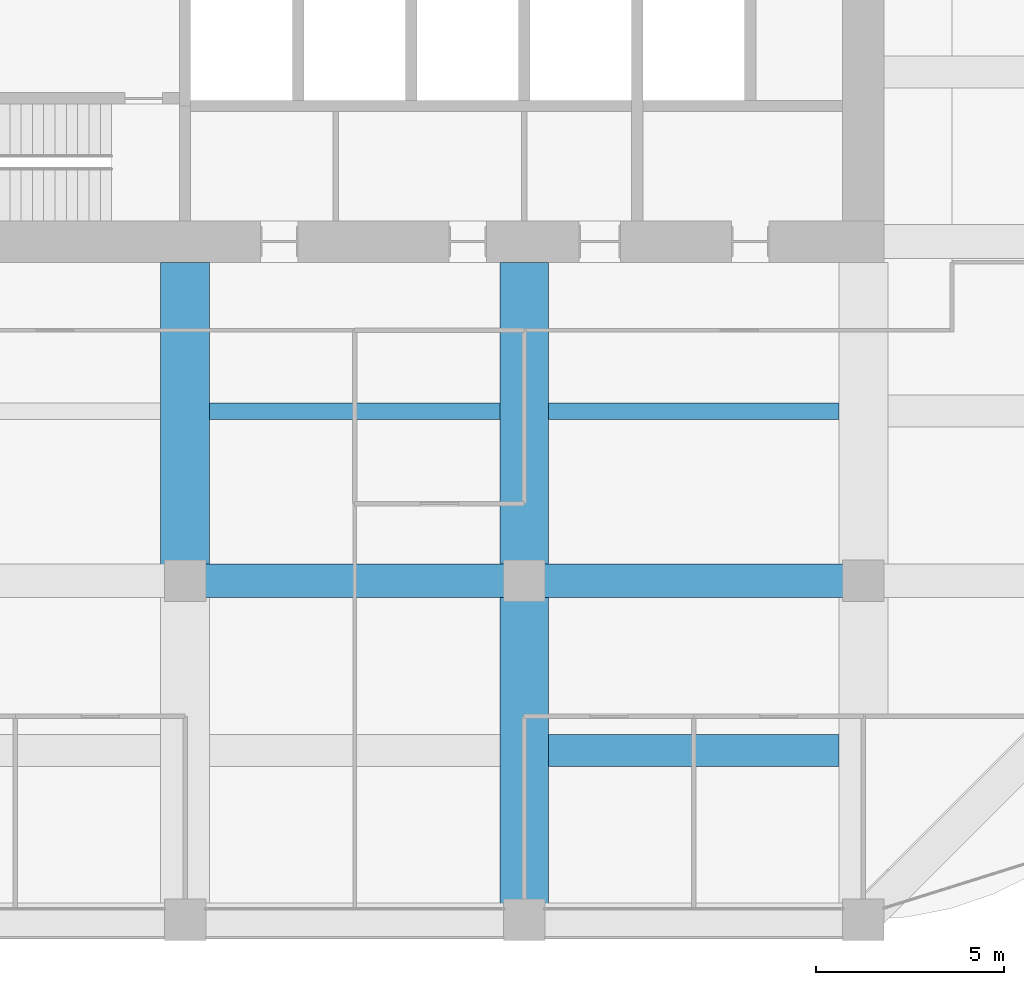
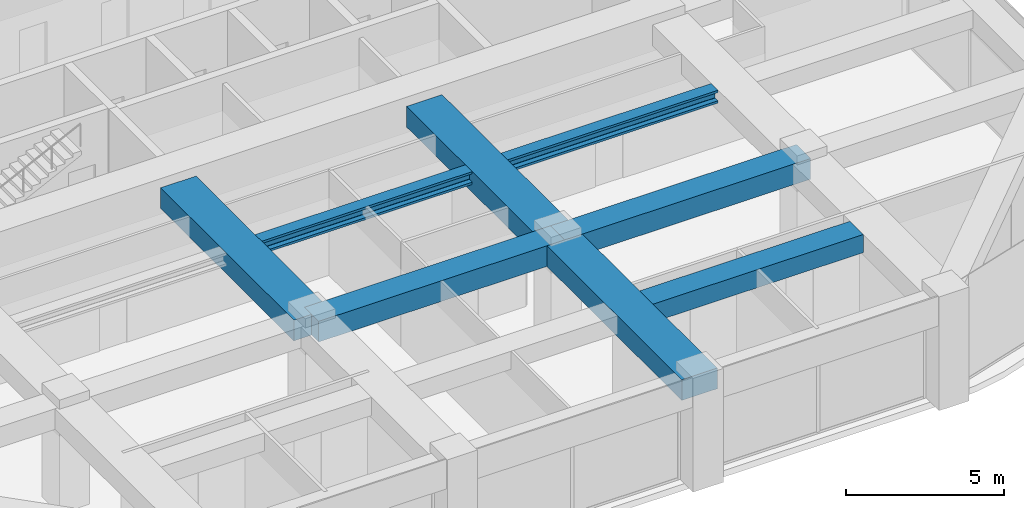
# One storey, part 12 of 44: 8 beams.
"""IFC4 building model written with IfcOpenShell, lengths in metres."""

from ifc_helpers import new_model, si_unit, direction, frame, origin, origin_2d, place, context, subcontext, project, spatial, rectangle, i_section, extrude, material, material_profile, profile_set, type_object, element, save


model = new_model("IFC4")

# Units and contexts
model_context = context("Model", 3, precision=1e-05, world=origin(), true_north=direction((0.0, 1.0)))
body_context = subcontext(model_context, "Body", "Model", "MODEL_VIEW")
ifc_project = project(units=[si_unit("LENGTHUNIT", "METRE"), si_unit("AREAUNIT", "SQUARE_METRE"), si_unit("VOLUMEUNIT", "CUBIC_METRE"), si_unit("PLANEANGLEUNIT", "RADIAN"), si_unit("MASSUNIT", "GRAM", prefix="KILO")], contexts=[model_context])

# Site, building, storey
site_placement = place(None, origin())
site = spatial("IfcSite", under=ifc_project, at=site_placement, CompositionType="ELEMENT")
building_placement = place(site_placement, origin())
building = spatial("IfcBuilding", under=site, at=building_placement, Name="Zorevar Civic Tower", CompositionType="ELEMENT")
storey_placement = place(building_placement, frame((0.0, 0.0, 307.39990234375)))
storey = spatial("IfcBuildingStorey", under=building, at=storey_placement, Name="L75", CompositionType="ELEMENT", Elevation=307.39990234375)

# Beams
ifc_material_1 = material(Name="Concrete C50/60", Category="concrete")
ifc_material_profile_1 = material_profile(ifc_material_1, rectangle(XDim=1.300048828125, YDim=0.800048828125, at=origin_2d()), Name="RC 1300x800")
ifc_profile_set_1 = profile_set([ifc_material_profile_1], Name="Concrete C50/60")
beam_type_1 = type_object("IfcBeamType", Name="Beam RC 1300x800", PredefinedType="BEAM", material=ifc_profile_set_1)
beam_1_placement = place(storey_placement, frame((27.0, 9.0, 3.650146484375), z_axis=(0.0, 1.0, 0.0), x_axis=(-1.0, 0.0, 0.0)))
element("IfcBeam", 1, at=beam_1_placement, inside=storey, type_object=beam_type_1, Name="Girder RF", PredefinedType="BEAM", context=body_context, shape_type="SweptSolid", body=[
    extrude(rectangle(XDim=1.300048828125, YDim=0.800048828125, at=origin_2d()), origin(), (0.0, 0.0, 1.0), 8.449951171875),
])
beam_2_placement = place(storey_placement, frame((36.0, 0.0, 3.650146484375), z_axis=(0.0, 1.0, 0.0), x_axis=(-1.0, 0.0, 0.0)))
element("IfcBeam", 2, at=beam_2_placement, inside=storey, type_object=beam_type_1, Name="Girder RF", PredefinedType="BEAM", context=body_context, shape_type="SweptSolid", body=[
    extrude(rectangle(XDim=1.300048828125, YDim=0.800048828125, at=origin_2d()), origin(), (0.0, 0.0, 1.0), 9.0),
])
beam_3_placement = place(storey_placement, frame((36.0, 9.0, 3.650146484375), z_axis=(0.0, 1.0, 0.0), x_axis=(-1.0, 0.0, 0.0)))
element("IfcBeam", 3, at=beam_3_placement, inside=storey, type_object=beam_type_1, Name="Girder RF", PredefinedType="BEAM", context=body_context, shape_type="SweptSolid", body=[
    extrude(rectangle(XDim=1.300048828125, YDim=0.800048828125, at=origin_2d()), origin(), (0.0, 0.0, 1.0), 8.449951171875),
])
ifc_material_2 = material(Name="Concrete C50/60", Category="concrete")
ifc_material_profile_2 = material_profile(ifc_material_2, rectangle(XDim=0.85009765625, YDim=0.699951171875, at=origin_2d()), Name="RC 850x700")
ifc_profile_set_2 = profile_set([ifc_material_profile_2], Name="Concrete C50/60")
beam_type_2 = type_object("IfcBeamType", Name="Beam RC 850x700", PredefinedType="BEAM", material=ifc_profile_set_2)
beam_4_placement = place(storey_placement, frame((36.64990234375, 4.5, 3.7001953125), z_axis=(1.0, 0.0, 0.0), x_axis=(0.0, 1.0, 0.0)))
element("IfcBeam", 4, at=beam_4_placement, inside=storey, type_object=beam_type_2, Name="Secondary beam RF", PredefinedType="BEAM", context=body_context, shape_type="SweptSolid", body=[
    extrude(rectangle(XDim=0.85009765625, YDim=0.699951171875, at=origin_2d()), origin(), (0.0, 0.0, 1.0), 7.7001953125),
])
ifc_material_3 = material(Name="Concrete C50/60", Category="concrete")
ifc_material_profile_3 = material_profile(ifc_material_3, rectangle(XDim=0.89990234375, YDim=0.800048828125, at=origin_2d()), Name="RC 900x800")
ifc_profile_set_3 = profile_set([ifc_material_profile_3], Name="Concrete C50/60")
beam_type_3 = type_object("IfcBeamType", Name="Beam RC 900x800", PredefinedType="BEAM", material=ifc_profile_set_3)
for number, where, z_axis, x_axis, name in (
    (5, (27.0, 9.0, 3.650146484375), (1.0, 0.0, 0.0), (0.0, 1.0, 0.0), "Girder RF"),
    (6, (36.0, 9.0, 3.650146484375), (1.0, 0.0, 0.0), (0.0, 1.0, 0.0), "Girder RF"),
):
    element("IfcBeam", number, at=place(storey_placement, frame(where, z_axis=z_axis, x_axis=x_axis)), inside=storey, type_object=beam_type_3, Name=name, PredefinedType="BEAM", context=body_context, shape_type="SweptSolid", body=[
        extrude(rectangle(XDim=0.89990234375, YDim=0.800048828125, at=origin_2d()), origin(), (0.0, 0.0, 1.0), 9.0),
    ])
ifc_material_4 = material(Name="Steel S460M (HISTAR 460)", Category="steel")
ifc_material_profile_4 = material_profile(ifc_material_4, i_section(OverallWidth=0.431884765625, OverallDepth=0.498046875, WebThickness=0.0556640625, FlangeThickness=0.0888671875, FilletRadius=0.014892578125, at=origin_2d()), Name="HD 400x744")
ifc_profile_set_4 = profile_set([ifc_material_profile_4], Name="Steel S460M (HISTAR 460)")
beam_type_4 = type_object("IfcBeamType", Name="Core bay beam HD 400x744", PredefinedType="BEAM", material=ifc_profile_set_4)
for number, where, z_axis, x_axis, name in (
    (7, (27.64990234375, 13.5, 3.801025390625), (1.0, 0.0, 0.0), (0.0, 1.0, 0.0), "Secondary beam RF"),
    (8, (36.64990234375, 13.5, 3.801025390625), (1.0, 0.0, 0.0), (0.0, 1.0, 0.0), "Secondary beam RF"),
):
    element("IfcBeam", number, at=place(storey_placement, frame(where, z_axis=z_axis, x_axis=x_axis)), inside=storey, type_object=beam_type_4, Name=name, PredefinedType="BEAM", context=body_context, shape_type="SweptSolid", body=[
        extrude(i_section(OverallWidth=0.431884765625, OverallDepth=0.498046875, WebThickness=0.0556640625, FlangeThickness=0.0888671875, FilletRadius=0.014892578125, at=origin_2d()), origin(), (0.0, 0.0, 1.0), 7.7001953125),
    ])

save(model, "model.ifc")
